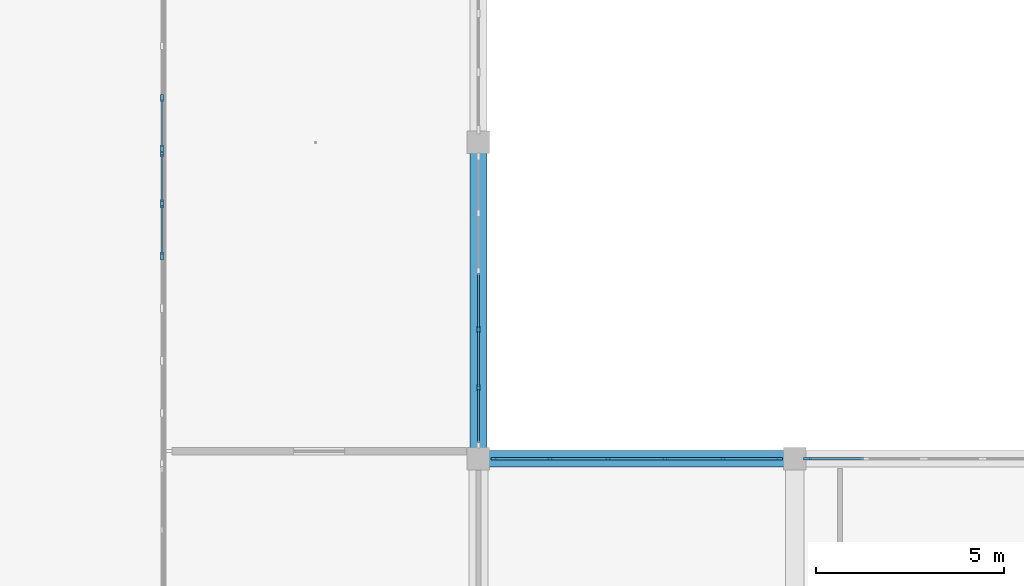
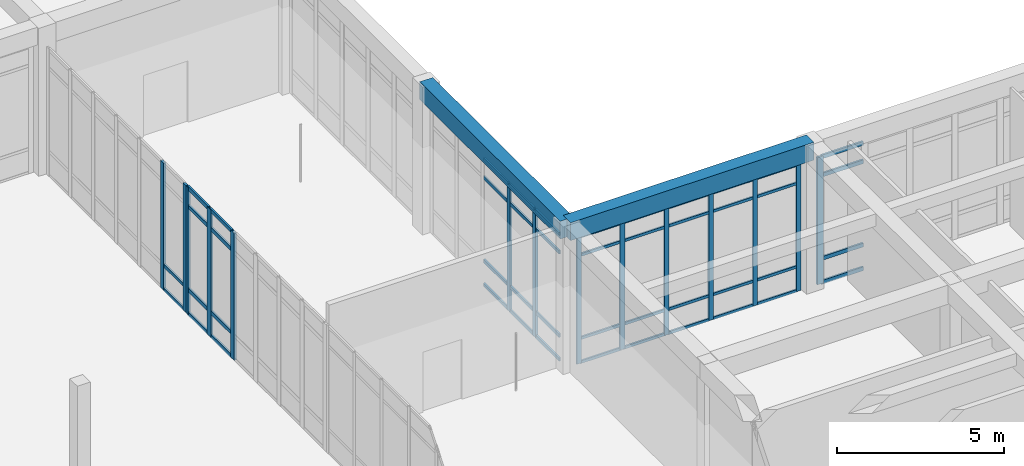
# One storey, part 27 of 157: 60 members, 2 beams, 5 elements without a shape of their own.
"""IFC4 building model written with IfcOpenShell, lengths in metres."""

from ifc_helpers import new_model, si_unit, direction, frame, origin, origin_2d, place, context, subcontext, project, spatial, rectangle, extrude, material, material_profile, profile_set, type_object, element, aggregate, save


model = new_model("IFC4")

# Units and contexts
model_context = context("Model", 3, precision=1e-05, world=origin(), true_north=direction((0.0, 1.0)))
body_context = subcontext(model_context, "Body", "Model", "MODEL_VIEW")
ifc_project = project(units=[si_unit("LENGTHUNIT", "METRE"), si_unit("AREAUNIT", "SQUARE_METRE"), si_unit("VOLUMEUNIT", "CUBIC_METRE"), si_unit("PLANEANGLEUNIT", "RADIAN"), si_unit("MASSUNIT", "GRAM", prefix="KILO")], contexts=[model_context])

# Site, building, storey
site_placement = place(None, origin())
site = spatial("IfcSite", under=ifc_project, at=site_placement, CompositionType="ELEMENT")
building_placement = place(site_placement, origin())
building = spatial("IfcBuilding", under=site, at=building_placement, Name="Varncliffe General Hospital", CompositionType="ELEMENT")
storey_placement = place(building_placement, frame((0.0, 0.0, 5.39990234375)))
storey = spatial("IfcBuildingStorey", under=building, at=storey_placement, Name="L01", CompositionType="ELEMENT", Elevation=5.39990234375)

# Curtain wall, members
ifc_material_1 = material(Name="Triple low-E argon insulated vision glazing", Category="glass")
curtain_wall_type_1 = type_object("IfcCurtainWallType", Name="Unitised Glazed Curtain Wall CW70 (7724x4640)", PredefinedType="USERDEFINED", material=ifc_material_1)
curtain_wall_1_placement = place(storey_placement, origin())
curtain_wall_1 = element("IfcCurtainWall", 1, at=curtain_wall_1_placement, inside=storey, type_object=curtain_wall_type_1, Name="L01 Glazed Curtain Wall CW70-58", ObjectType="GLAZED CURTAIN WALL", PredefinedType="USERDEFINED")
ifc_material_2 = material(Name="Dark bronze thermally broken aluminium framing", Category="aluminium")
ifc_material_profile_1 = material_profile(ifc_material_2, rectangle(XDim=0.074951171875, YDim=0.179931640625, at=origin_2d()), Name="ALU 75x180")
ifc_profile_set_1 = profile_set([ifc_material_profile_1], Name="Dark bronze thermally broken aluminium framing")
member_type_1 = type_object("IfcMemberType", Name="Curtain Wall Mullion CM44 (ALU 75x180)", PredefinedType="MULLION", material=ifc_profile_set_1)
member_1_placement = place(storey_placement, frame((117.60009765625, 44.2275390625, 0.0), z_axis=(0.0, 0.0, 1.0), x_axis=(1.0, 0.0, 0.0)))
member_1 = element("IfcMember", 2, at=member_1_placement, type_object=member_type_1, Name="CW70 mullion 4", PredefinedType="MULLION", context=body_context, shape_type="SweptSolid", body=[
    extrude(rectangle(XDim=0.074951171875, YDim=0.179931640625, at=origin_2d()), origin(), (0.0, 0.0, 1.0), 4.64013671875),
])
member_2_placement = place(storey_placement, frame((117.60009765625, 42.682861328125, 0.0), z_axis=(0.0, 0.0, 1.0), x_axis=(1.0, 0.0, 0.0)))
member_2 = element("IfcMember", 3, at=member_2_placement, type_object=member_type_1, Name="CW70 mullion 5", PredefinedType="MULLION", context=body_context, shape_type="SweptSolid", body=[
    extrude(rectangle(XDim=0.074951171875, YDim=0.179931640625, at=origin_2d()), origin(), (0.0, 0.0, 1.0), 4.64013671875),
])

curtain_wall_type_2 = type_object("IfcCurtainWallType", Name="Unitised Glazed Curtain Wall CW14 (8260x4640)", PredefinedType="USERDEFINED", material=ifc_material_1)
curtain_wall_2_placement = place(storey_placement, origin())
curtain_wall_2 = element("IfcCurtainWall", 4, at=curtain_wall_2_placement, inside=storey, type_object=curtain_wall_type_2, Name="L01 Glazed Curtain Wall CW14-100", ObjectType="GLAZED CURTAIN WALL", PredefinedType="USERDEFINED")
member_3_placement = place(storey_placement, frame((109.199951171875, 49.0390625, 0.0), z_axis=(0.0, 0.0, 1.0), x_axis=(-1.0, 0.0, 0.0)))
member_3 = element("IfcMember", 5, at=member_3_placement, type_object=member_type_1, Name="CW14 mullion 1", PredefinedType="MULLION", context=body_context, shape_type="SweptSolid", body=[
    extrude(rectangle(XDim=0.074951171875, YDim=0.179931640625, at=origin_2d()), origin(), (0.0, 0.0, 1.0), 4.64013671875),
])
member_4_placement = place(storey_placement, frame((109.199951171875, 50.37841796875, 0.0), z_axis=(0.0, 0.0, 1.0), x_axis=(-1.0, 0.0, 0.0)))
member_4 = element("IfcMember", 6, at=member_4_placement, type_object=member_type_1, Name="CW14 mullion 2", PredefinedType="MULLION", context=body_context, shape_type="SweptSolid", body=[
    extrude(rectangle(XDim=0.074951171875, YDim=0.179931640625, at=origin_2d()), origin(), (0.0, 0.0, 1.0), 4.64013671875),
])

curtain_wall_type_3 = type_object("IfcCurtainWallType", Name="Unitised Glazed Curtain Wall CW27 (7644x4640)", PredefinedType="USERDEFINED", material=ifc_material_1)
curtain_wall_3_placement = place(storey_placement, origin())
curtain_wall_3 = element("IfcCurtainWall", 7, at=curtain_wall_3_placement, inside=storey, type_object=curtain_wall_type_3, Name="L01 Glazed Curtain Wall CW27-59", ObjectType="GLAZED CURTAIN WALL", PredefinedType="USERDEFINED")
ifc_material_profile_2 = material_profile(ifc_material_2, rectangle(XDim=0.06494140625, YDim=0.159912109375, at=origin_2d()), Name="ALU 65x160")
ifc_profile_set_2 = profile_set([ifc_material_profile_2], Name="Dark bronze thermally broken aluminium framing")
member_type_2 = type_object("IfcMemberType", Name="Curtain Wall Mullion CM65 (ALU 65x160)", PredefinedType="MULLION", material=ifc_profile_set_2)
member_5_placement = place(storey_placement, frame((118.010498046875, 40.800048828125, 0.0), z_axis=(0.0, 0.0, 1.0), x_axis=(0.0, 1.0, 0.0)))
member_5 = element("IfcMember", 8, at=member_5_placement, type_object=member_type_2, Name="CW27 mullion 1", PredefinedType="MULLION", context=body_context, shape_type="SweptSolid", body=[
    extrude(rectangle(XDim=0.06494140625, YDim=0.159912109375, at=origin_2d()), origin(), (0.0, 0.0, 1.0), 4.64013671875),
])
member_6_placement = place(storey_placement, frame((119.5068359375, 40.800048828125, 0.0), z_axis=(0.0, 0.0, 1.0), x_axis=(0.0, 1.0, 0.0)))
member_6 = element("IfcMember", 9, at=member_6_placement, type_object=member_type_2, Name="CW27 mullion 2", PredefinedType="MULLION", context=body_context, shape_type="SweptSolid", body=[
    extrude(rectangle(XDim=0.06494140625, YDim=0.159912109375, at=origin_2d()), origin(), (0.0, 0.0, 1.0), 4.64013671875),
])
member_7_placement = place(storey_placement, frame((121.03564453125, 40.800048828125, 0.0), z_axis=(0.0, 0.0, 1.0), x_axis=(0.0, 1.0, 0.0)))
member_7 = element("IfcMember", 10, at=member_7_placement, type_object=member_type_2, Name="CW27 mullion 3", PredefinedType="MULLION", context=body_context, shape_type="SweptSolid", body=[
    extrude(rectangle(XDim=0.06494140625, YDim=0.159912109375, at=origin_2d()), origin(), (0.0, 0.0, 1.0), 4.64013671875),
])
member_8_placement = place(storey_placement, frame((122.564453125, 40.800048828125, 0.0), z_axis=(0.0, 0.0, 1.0), x_axis=(0.0, 1.0, 0.0)))
member_8 = element("IfcMember", 11, at=member_8_placement, type_object=member_type_2, Name="CW27 mullion 4", PredefinedType="MULLION", context=body_context, shape_type="SweptSolid", body=[
    extrude(rectangle(XDim=0.06494140625, YDim=0.159912109375, at=origin_2d()), origin(), (0.0, 0.0, 1.0), 4.64013671875),
])
member_9_placement = place(storey_placement, frame((124.09326171875, 40.800048828125, 0.0), z_axis=(0.0, 0.0, 1.0), x_axis=(0.0, 1.0, 0.0)))
member_9 = element("IfcMember", 12, at=member_9_placement, type_object=member_type_2, Name="CW27 mullion 5", PredefinedType="MULLION", context=body_context, shape_type="SweptSolid", body=[
    extrude(rectangle(XDim=0.06494140625, YDim=0.159912109375, at=origin_2d()), origin(), (0.0, 0.0, 1.0), 4.64013671875),
])
member_10_placement = place(storey_placement, frame((125.589599609375, 40.800048828125, 0.0), z_axis=(0.0, 0.0, 1.0), x_axis=(0.0, 1.0, 0.0)))
member_10 = element("IfcMember", 13, at=member_10_placement, type_object=member_type_2, Name="CW27 mullion 6", PredefinedType="MULLION", context=body_context, shape_type="SweptSolid", body=[
    extrude(rectangle(XDim=0.06494140625, YDim=0.159912109375, at=origin_2d()), origin(), (0.0, 0.0, 1.0), 4.64013671875),
])

# Curtain wall, member
curtain_wall_type_4 = type_object("IfcCurtainWallType", Name="Unitised Glazed Curtain Wall CW85 (7804x4640)", PredefinedType="USERDEFINED", material=ifc_material_1)
curtain_wall_4_placement = place(storey_placement, origin())
curtain_wall_4 = element("IfcCurtainWall", 14, at=curtain_wall_4_placement, inside=storey, type_object=curtain_wall_type_4, Name="L01 Glazed Curtain Wall CW85-60", ObjectType="GLAZED CURTAIN WALL", PredefinedType="USERDEFINED")
ifc_material_profile_3 = material_profile(ifc_material_2, rectangle(XDim=0.074951171875, YDim=0.219970703125, at=origin_2d()), Name="ALU 75x220")
ifc_profile_set_3 = profile_set([ifc_material_profile_3], Name="Dark bronze thermally broken aluminium framing")
member_type_3 = type_object("IfcMemberType", Name="Curtain Wall Mullion CM74 (ALU 75x220)", PredefinedType="MULLION", material=ifc_profile_set_3)
member_11_placement = place(storey_placement, frame((126.33544921875, 40.800048828125, 0.0), z_axis=(0.0, 0.0, 1.0), x_axis=(0.0, 1.0, 0.0)))
member_11 = element("IfcMember", 15, at=member_11_placement, type_object=member_type_3, Name="CW85 mullion 1", PredefinedType="MULLION", context=body_context, shape_type="SweptSolid", body=[
    extrude(rectangle(XDim=0.074951171875, YDim=0.219970703125, at=origin_2d()), origin(), (0.0, 0.0, 1.0), 4.64013671875),
])

# Curtain wall, members
curtain_wall_type_5 = type_object("IfcCurtainWallType", Name="Unitised Glazed Curtain Wall CW86 (8340x4640)", PredefinedType="USERDEFINED", material=ifc_material_1)
curtain_wall_5_placement = place(storey_placement, origin())
curtain_wall_5 = element("IfcCurtainWall", 16, at=curtain_wall_5_placement, inside=storey, type_object=curtain_wall_type_5, Name="L01 Glazed Curtain Wall CW86-99", ObjectType="GLAZED CURTAIN WALL", PredefinedType="USERDEFINED")
member_12_placement = place(storey_placement, frame((109.199951171875, 46.181396484375, 0.0), z_axis=(0.0, 0.0, 1.0), x_axis=(-1.0, 0.0, 0.0)))
member_12 = element("IfcMember", 17, at=member_12_placement, type_object=member_type_3, Name="CW86 mullion 5", PredefinedType="MULLION", context=body_context, shape_type="SweptSolid", body=[
    extrude(rectangle(XDim=0.074951171875, YDim=0.219970703125, at=origin_2d()), origin(), (0.0, 0.0, 1.0), 4.64013671875),
])
member_13_placement = place(storey_placement, frame((109.199951171875, 47.571533203125, 0.0), z_axis=(0.0, 0.0, 1.0), x_axis=(-1.0, 0.0, 0.0)))
member_13 = element("IfcMember", 18, at=member_13_placement, type_object=member_type_3, Name="CW86 mullion 6", PredefinedType="MULLION", context=body_context, shape_type="SweptSolid", body=[
    extrude(rectangle(XDim=0.074951171875, YDim=0.219970703125, at=origin_2d()), origin(), (0.0, 0.0, 1.0), 4.64013671875),
])
member_14_placement = place(storey_placement, frame((109.199951171875, 48.924072265625, 0.0), z_axis=(0.0, 0.0, 1.0), x_axis=(-1.0, 0.0, 0.0)))
member_14 = element("IfcMember", 19, at=member_14_placement, type_object=member_type_3, Name="CW86 mullion 7", PredefinedType="MULLION", context=body_context, shape_type="SweptSolid", body=[
    extrude(rectangle(XDim=0.074951171875, YDim=0.219970703125, at=origin_2d()), origin(), (0.0, 0.0, 1.0), 4.64013671875),
])

# Member
ifc_material_profile_4 = material_profile(ifc_material_2, rectangle(XDim=0.06005859375, YDim=0.1201171875, at=origin_2d()), Name="ALU 60x120")
ifc_profile_set_4 = profile_set([ifc_material_profile_4], Name="Dark bronze thermally broken aluminium framing")
member_type_4 = type_object("IfcMemberType", Name="Curtain Wall Transom CT14 (ALU 60x120)", PredefinedType="USERDEFINED", material=ifc_profile_set_4)
member_15_placement = place(storey_placement, frame((117.60009765625, 45.73486328125, 0.030029296875), z_axis=(0.0, -1.0, 0.0), x_axis=(1.0, 0.0, 0.0)))
member_15 = element("IfcMember", 20, at=member_15_placement, type_object=member_type_4, Name="CW70 transom 3.1", ObjectType="TRANSOM", PredefinedType="USERDEFINED", context=body_context, shape_type="SweptSolid", body=[
    extrude(rectangle(XDim=0.06005859375, YDim=0.1201171875, at=origin_2d()), origin(), (0.0, 0.0, 1.0), 1.4697265625),
])

member_16_placement = place(storey_placement, frame((117.60009765625, 45.73486328125, 0.900146484375), z_axis=(0.0, -1.0, 0.0), x_axis=(1.0, 0.0, 0.0)))
member_16 = element("IfcMember", 21, at=member_16_placement, type_object=member_type_4, Name="CW70 transom 3.2", ObjectType="TRANSOM", PredefinedType="USERDEFINED", context=body_context, shape_type="SweptSolid", body=[
    extrude(rectangle(XDim=0.06005859375, YDim=0.1201171875, at=origin_2d()), origin(), (0.0, 0.0, 1.0), 1.4697265625),
])

member_17_placement = place(storey_placement, frame((117.60009765625, 45.73486328125, 3.940185546875), z_axis=(0.0, -1.0, 0.0), x_axis=(1.0, 0.0, 0.0)))
member_17 = element("IfcMember", 22, at=member_17_placement, type_object=member_type_4, Name="CW70 transom 3.3", ObjectType="TRANSOM", PredefinedType="USERDEFINED", context=body_context, shape_type="SweptSolid", body=[
    extrude(rectangle(XDim=0.06005859375, YDim=0.1201171875, at=origin_2d()), origin(), (0.0, 0.0, 1.0), 1.4697265625),
])

member_18_placement = place(storey_placement, frame((117.60009765625, 45.73486328125, 4.610107421875), z_axis=(0.0, -1.0, 0.0), x_axis=(1.0, 0.0, 0.0)))
member_18 = element("IfcMember", 23, at=member_18_placement, type_object=member_type_4, Name="CW70 transom 3.4", ObjectType="TRANSOM", PredefinedType="USERDEFINED", context=body_context, shape_type="SweptSolid", body=[
    extrude(rectangle(XDim=0.06005859375, YDim=0.1201171875, at=origin_2d()), origin(), (0.0, 0.0, 1.0), 1.4697265625),
])

member_19_placement = place(storey_placement, frame((117.60009765625, 44.190185546875, 0.030029296875), z_axis=(0.0, -1.0, 0.0), x_axis=(1.0, 0.0, 0.0)))
member_19 = element("IfcMember", 24, at=member_19_placement, type_object=member_type_4, Name="CW70 transom 4.1", ObjectType="TRANSOM", PredefinedType="USERDEFINED", context=body_context, shape_type="SweptSolid", body=[
    extrude(rectangle(XDim=0.06005859375, YDim=0.1201171875, at=origin_2d()), origin(), (0.0, 0.0, 1.0), 1.469970703125),
])

member_20_placement = place(storey_placement, frame((117.60009765625, 44.190185546875, 0.900146484375), z_axis=(0.0, -1.0, 0.0), x_axis=(1.0, 0.0, 0.0)))
member_20 = element("IfcMember", 25, at=member_20_placement, type_object=member_type_4, Name="CW70 transom 4.2", ObjectType="TRANSOM", PredefinedType="USERDEFINED", context=body_context, shape_type="SweptSolid", body=[
    extrude(rectangle(XDim=0.06005859375, YDim=0.1201171875, at=origin_2d()), origin(), (0.0, 0.0, 1.0), 1.469970703125),
])

member_21_placement = place(storey_placement, frame((117.60009765625, 44.190185546875, 3.940185546875), z_axis=(0.0, -1.0, 0.0), x_axis=(1.0, 0.0, 0.0)))
member_21 = element("IfcMember", 26, at=member_21_placement, type_object=member_type_4, Name="CW70 transom 4.3", ObjectType="TRANSOM", PredefinedType="USERDEFINED", context=body_context, shape_type="SweptSolid", body=[
    extrude(rectangle(XDim=0.06005859375, YDim=0.1201171875, at=origin_2d()), origin(), (0.0, 0.0, 1.0), 1.469970703125),
])

member_22_placement = place(storey_placement, frame((117.60009765625, 44.190185546875, 4.610107421875), z_axis=(0.0, -1.0, 0.0), x_axis=(1.0, 0.0, 0.0)))
member_22 = element("IfcMember", 27, at=member_22_placement, type_object=member_type_4, Name="CW70 transom 4.4", ObjectType="TRANSOM", PredefinedType="USERDEFINED", context=body_context, shape_type="SweptSolid", body=[
    extrude(rectangle(XDim=0.06005859375, YDim=0.1201171875, at=origin_2d()), origin(), (0.0, 0.0, 1.0), 1.469970703125),
])

member_23_placement = place(storey_placement, frame((117.60009765625, 42.645263671875, 0.030029296875), z_axis=(0.0, -1.0, 0.0), x_axis=(1.0, 0.0, 0.0)))
member_23 = element("IfcMember", 28, at=member_23_placement, type_object=member_type_4, Name="CW70 transom 5.1", ObjectType="TRANSOM", PredefinedType="USERDEFINED", context=body_context, shape_type="SweptSolid", body=[
    extrude(rectangle(XDim=0.06005859375, YDim=0.1201171875, at=origin_2d()), origin(), (0.0, 0.0, 1.0), 1.432373046875),
])

member_24_placement = place(storey_placement, frame((117.60009765625, 42.645263671875, 0.900146484375), z_axis=(0.0, -1.0, 0.0), x_axis=(1.0, 0.0, 0.0)))
member_24 = element("IfcMember", 29, at=member_24_placement, type_object=member_type_4, Name="CW70 transom 5.2", ObjectType="TRANSOM", PredefinedType="USERDEFINED", context=body_context, shape_type="SweptSolid", body=[
    extrude(rectangle(XDim=0.06005859375, YDim=0.1201171875, at=origin_2d()), origin(), (0.0, 0.0, 1.0), 1.432373046875),
])

member_25_placement = place(storey_placement, frame((117.60009765625, 42.645263671875, 3.940185546875), z_axis=(0.0, -1.0, 0.0), x_axis=(1.0, 0.0, 0.0)))
member_25 = element("IfcMember", 30, at=member_25_placement, type_object=member_type_4, Name="CW70 transom 5.3", ObjectType="TRANSOM", PredefinedType="USERDEFINED", context=body_context, shape_type="SweptSolid", body=[
    extrude(rectangle(XDim=0.06005859375, YDim=0.1201171875, at=origin_2d()), origin(), (0.0, 0.0, 1.0), 1.432373046875),
])

member_26_placement = place(storey_placement, frame((117.60009765625, 42.645263671875, 4.610107421875), z_axis=(0.0, -1.0, 0.0), x_axis=(1.0, 0.0, 0.0)))
member_26 = element("IfcMember", 31, at=member_26_placement, type_object=member_type_4, Name="CW70 transom 5.4", ObjectType="TRANSOM", PredefinedType="USERDEFINED", context=body_context, shape_type="SweptSolid", body=[
    extrude(rectangle(XDim=0.06005859375, YDim=0.1201171875, at=origin_2d()), origin(), (0.0, 0.0, 1.0), 1.432373046875),
])

aggregate(curtain_wall_1, [member_1, member_2, member_15, member_16, member_17, member_18, member_19, member_20, member_21, member_22, member_23, member_24, member_25, member_26])

member_27_placement = place(storey_placement, frame((109.199951171875, 49.07666015625, 0.030029296875), z_axis=(0.0, 1.0, 0.0), x_axis=(-1.0, 0.0, 0.0)))
member_27 = element("IfcMember", 32, at=member_27_placement, type_object=member_type_4, Name="CW14 transom 1.1", ObjectType="TRANSOM", PredefinedType="USERDEFINED", context=body_context, shape_type="SweptSolid", body=[
    extrude(rectangle(XDim=0.06005859375, YDim=0.1201171875, at=origin_2d()), origin(), (0.0, 0.0, 1.0), 1.26416015625),
])

member_28_placement = place(storey_placement, frame((109.199951171875, 49.07666015625, 0.900146484375), z_axis=(0.0, 1.0, 0.0), x_axis=(-1.0, 0.0, 0.0)))
member_28 = element("IfcMember", 33, at=member_28_placement, type_object=member_type_4, Name="CW14 transom 1.2", ObjectType="TRANSOM", PredefinedType="USERDEFINED", context=body_context, shape_type="SweptSolid", body=[
    extrude(rectangle(XDim=0.06005859375, YDim=0.1201171875, at=origin_2d()), origin(), (0.0, 0.0, 1.0), 1.26416015625),
])

aggregate(curtain_wall_2, [member_3, member_4, member_27, member_28])

ifc_material_profile_5 = material_profile(ifc_material_2, rectangle(XDim=0.06005859375, YDim=0.10009765625, at=origin_2d()), Name="ALU 60x100")
ifc_profile_set_5 = profile_set([ifc_material_profile_5], Name="Dark bronze thermally broken aluminium framing")
member_type_5 = type_object("IfcMemberType", Name="Curtain Wall Transom CT18 (ALU 60x100)", PredefinedType="USERDEFINED", material=ifc_profile_set_5)
member_29_placement = place(storey_placement, frame((118.04296875, 40.800048828125, 0.030029296875), z_axis=(1.0, 0.0, 0.0), x_axis=(0.0, 1.0, 0.0)))
member_29 = element("IfcMember", 34, at=member_29_placement, type_object=member_type_5, Name="CW27 transom 1.1", ObjectType="TRANSOM", PredefinedType="USERDEFINED", context=body_context, shape_type="SweptSolid", body=[
    extrude(rectangle(XDim=0.06005859375, YDim=0.10009765625, at=origin_2d()), origin(), (0.0, 0.0, 1.0), 1.431396484375),
])

member_30_placement = place(storey_placement, frame((118.04296875, 40.800048828125, 0.900146484375), z_axis=(1.0, 0.0, 0.0), x_axis=(0.0, 1.0, 0.0)))
member_30 = element("IfcMember", 35, at=member_30_placement, type_object=member_type_5, Name="CW27 transom 1.2", ObjectType="TRANSOM", PredefinedType="USERDEFINED", context=body_context, shape_type="SweptSolid", body=[
    extrude(rectangle(XDim=0.06005859375, YDim=0.10009765625, at=origin_2d()), origin(), (0.0, 0.0, 1.0), 1.431396484375),
])

member_31_placement = place(storey_placement, frame((118.04296875, 40.800048828125, 3.940185546875), z_axis=(1.0, 0.0, 0.0), x_axis=(0.0, 1.0, 0.0)))
member_31 = element("IfcMember", 36, at=member_31_placement, type_object=member_type_5, Name="CW27 transom 1.3", ObjectType="TRANSOM", PredefinedType="USERDEFINED", context=body_context, shape_type="SweptSolid", body=[
    extrude(rectangle(XDim=0.06005859375, YDim=0.10009765625, at=origin_2d()), origin(), (0.0, 0.0, 1.0), 1.431396484375),
])

member_32_placement = place(storey_placement, frame((118.04296875, 40.800048828125, 4.610107421875), z_axis=(1.0, 0.0, 0.0), x_axis=(0.0, 1.0, 0.0)))
member_32 = element("IfcMember", 37, at=member_32_placement, type_object=member_type_5, Name="CW27 transom 1.4", ObjectType="TRANSOM", PredefinedType="USERDEFINED", context=body_context, shape_type="SweptSolid", body=[
    extrude(rectangle(XDim=0.06005859375, YDim=0.10009765625, at=origin_2d()), origin(), (0.0, 0.0, 1.0), 1.431396484375),
])

member_33_placement = place(storey_placement, frame((119.539306640625, 40.800048828125, 0.030029296875), z_axis=(1.0, 0.0, 0.0), x_axis=(0.0, 1.0, 0.0)))
member_33 = element("IfcMember", 38, at=member_33_placement, type_object=member_type_5, Name="CW27 transom 2.1", ObjectType="TRANSOM", PredefinedType="USERDEFINED", context=body_context, shape_type="SweptSolid", body=[
    extrude(rectangle(XDim=0.06005859375, YDim=0.10009765625, at=origin_2d()), origin(), (0.0, 0.0, 1.0), 1.4638671875),
])

member_34_placement = place(storey_placement, frame((119.539306640625, 40.800048828125, 0.900146484375), z_axis=(1.0, 0.0, 0.0), x_axis=(0.0, 1.0, 0.0)))
member_34 = element("IfcMember", 39, at=member_34_placement, type_object=member_type_5, Name="CW27 transom 2.2", ObjectType="TRANSOM", PredefinedType="USERDEFINED", context=body_context, shape_type="SweptSolid", body=[
    extrude(rectangle(XDim=0.06005859375, YDim=0.10009765625, at=origin_2d()), origin(), (0.0, 0.0, 1.0), 1.4638671875),
])

member_35_placement = place(storey_placement, frame((119.539306640625, 40.800048828125, 3.940185546875), z_axis=(1.0, 0.0, 0.0), x_axis=(0.0, 1.0, 0.0)))
member_35 = element("IfcMember", 40, at=member_35_placement, type_object=member_type_5, Name="CW27 transom 2.3", ObjectType="TRANSOM", PredefinedType="USERDEFINED", context=body_context, shape_type="SweptSolid", body=[
    extrude(rectangle(XDim=0.06005859375, YDim=0.10009765625, at=origin_2d()), origin(), (0.0, 0.0, 1.0), 1.4638671875),
])

member_36_placement = place(storey_placement, frame((119.539306640625, 40.800048828125, 4.610107421875), z_axis=(1.0, 0.0, 0.0), x_axis=(0.0, 1.0, 0.0)))
member_36 = element("IfcMember", 41, at=member_36_placement, type_object=member_type_5, Name="CW27 transom 2.4", ObjectType="TRANSOM", PredefinedType="USERDEFINED", context=body_context, shape_type="SweptSolid", body=[
    extrude(rectangle(XDim=0.06005859375, YDim=0.10009765625, at=origin_2d()), origin(), (0.0, 0.0, 1.0), 1.4638671875),
])

member_37_placement = place(storey_placement, frame((121.068115234375, 40.800048828125, 0.030029296875), z_axis=(1.0, 0.0, 0.0), x_axis=(0.0, 1.0, 0.0)))
member_37 = element("IfcMember", 42, at=member_37_placement, type_object=member_type_5, Name="CW27 transom 3.1", ObjectType="TRANSOM", PredefinedType="USERDEFINED", context=body_context, shape_type="SweptSolid", body=[
    extrude(rectangle(XDim=0.06005859375, YDim=0.10009765625, at=origin_2d()), origin(), (0.0, 0.0, 1.0), 1.4638671875),
])

member_38_placement = place(storey_placement, frame((121.068115234375, 40.800048828125, 0.900146484375), z_axis=(1.0, 0.0, 0.0), x_axis=(0.0, 1.0, 0.0)))
member_38 = element("IfcMember", 43, at=member_38_placement, type_object=member_type_5, Name="CW27 transom 3.2", ObjectType="TRANSOM", PredefinedType="USERDEFINED", context=body_context, shape_type="SweptSolid", body=[
    extrude(rectangle(XDim=0.06005859375, YDim=0.10009765625, at=origin_2d()), origin(), (0.0, 0.0, 1.0), 1.4638671875),
])

member_39_placement = place(storey_placement, frame((121.068115234375, 40.800048828125, 3.940185546875), z_axis=(1.0, 0.0, 0.0), x_axis=(0.0, 1.0, 0.0)))
member_39 = element("IfcMember", 44, at=member_39_placement, type_object=member_type_5, Name="CW27 transom 3.3", ObjectType="TRANSOM", PredefinedType="USERDEFINED", context=body_context, shape_type="SweptSolid", body=[
    extrude(rectangle(XDim=0.06005859375, YDim=0.10009765625, at=origin_2d()), origin(), (0.0, 0.0, 1.0), 1.4638671875),
])

member_40_placement = place(storey_placement, frame((121.068115234375, 40.800048828125, 4.610107421875), z_axis=(1.0, 0.0, 0.0), x_axis=(0.0, 1.0, 0.0)))
member_40 = element("IfcMember", 45, at=member_40_placement, type_object=member_type_5, Name="CW27 transom 3.4", ObjectType="TRANSOM", PredefinedType="USERDEFINED", context=body_context, shape_type="SweptSolid", body=[
    extrude(rectangle(XDim=0.06005859375, YDim=0.10009765625, at=origin_2d()), origin(), (0.0, 0.0, 1.0), 1.4638671875),
])

member_41_placement = place(storey_placement, frame((122.596923828125, 40.800048828125, 0.030029296875), z_axis=(1.0, 0.0, 0.0), x_axis=(0.0, 1.0, 0.0)))
member_41 = element("IfcMember", 46, at=member_41_placement, type_object=member_type_5, Name="CW27 transom 4.1", ObjectType="TRANSOM", PredefinedType="USERDEFINED", context=body_context, shape_type="SweptSolid", body=[
    extrude(rectangle(XDim=0.06005859375, YDim=0.10009765625, at=origin_2d()), origin(), (0.0, 0.0, 1.0), 1.4638671875),
])

member_42_placement = place(storey_placement, frame((122.596923828125, 40.800048828125, 0.900146484375), z_axis=(1.0, 0.0, 0.0), x_axis=(0.0, 1.0, 0.0)))
member_42 = element("IfcMember", 47, at=member_42_placement, type_object=member_type_5, Name="CW27 transom 4.2", ObjectType="TRANSOM", PredefinedType="USERDEFINED", context=body_context, shape_type="SweptSolid", body=[
    extrude(rectangle(XDim=0.06005859375, YDim=0.10009765625, at=origin_2d()), origin(), (0.0, 0.0, 1.0), 1.4638671875),
])

member_43_placement = place(storey_placement, frame((122.596923828125, 40.800048828125, 3.940185546875), z_axis=(1.0, 0.0, 0.0), x_axis=(0.0, 1.0, 0.0)))
member_43 = element("IfcMember", 48, at=member_43_placement, type_object=member_type_5, Name="CW27 transom 4.3", ObjectType="TRANSOM", PredefinedType="USERDEFINED", context=body_context, shape_type="SweptSolid", body=[
    extrude(rectangle(XDim=0.06005859375, YDim=0.10009765625, at=origin_2d()), origin(), (0.0, 0.0, 1.0), 1.4638671875),
])

member_44_placement = place(storey_placement, frame((122.596923828125, 40.800048828125, 4.610107421875), z_axis=(1.0, 0.0, 0.0), x_axis=(0.0, 1.0, 0.0)))
member_44 = element("IfcMember", 49, at=member_44_placement, type_object=member_type_5, Name="CW27 transom 4.4", ObjectType="TRANSOM", PredefinedType="USERDEFINED", context=body_context, shape_type="SweptSolid", body=[
    extrude(rectangle(XDim=0.06005859375, YDim=0.10009765625, at=origin_2d()), origin(), (0.0, 0.0, 1.0), 1.4638671875),
])

member_45_placement = place(storey_placement, frame((124.125732421875, 40.800048828125, 0.030029296875), z_axis=(1.0, 0.0, 0.0), x_axis=(0.0, 1.0, 0.0)))
member_45 = element("IfcMember", 50, at=member_45_placement, type_object=member_type_5, Name="CW27 transom 5.1", ObjectType="TRANSOM", PredefinedType="USERDEFINED", context=body_context, shape_type="SweptSolid", body=[
    extrude(rectangle(XDim=0.06005859375, YDim=0.10009765625, at=origin_2d()), origin(), (0.0, 0.0, 1.0), 1.43115234375),
])

member_46_placement = place(storey_placement, frame((124.125732421875, 40.800048828125, 0.900146484375), z_axis=(1.0, 0.0, 0.0), x_axis=(0.0, 1.0, 0.0)))
member_46 = element("IfcMember", 51, at=member_46_placement, type_object=member_type_5, Name="CW27 transom 5.2", ObjectType="TRANSOM", PredefinedType="USERDEFINED", context=body_context, shape_type="SweptSolid", body=[
    extrude(rectangle(XDim=0.06005859375, YDim=0.10009765625, at=origin_2d()), origin(), (0.0, 0.0, 1.0), 1.43115234375),
])

member_47_placement = place(storey_placement, frame((124.125732421875, 40.800048828125, 3.940185546875), z_axis=(1.0, 0.0, 0.0), x_axis=(0.0, 1.0, 0.0)))
member_47 = element("IfcMember", 52, at=member_47_placement, type_object=member_type_5, Name="CW27 transom 5.3", ObjectType="TRANSOM", PredefinedType="USERDEFINED", context=body_context, shape_type="SweptSolid", body=[
    extrude(rectangle(XDim=0.06005859375, YDim=0.10009765625, at=origin_2d()), origin(), (0.0, 0.0, 1.0), 1.43115234375),
])

member_48_placement = place(storey_placement, frame((124.125732421875, 40.800048828125, 4.610107421875), z_axis=(1.0, 0.0, 0.0), x_axis=(0.0, 1.0, 0.0)))
member_48 = element("IfcMember", 53, at=member_48_placement, type_object=member_type_5, Name="CW27 transom 5.4", ObjectType="TRANSOM", PredefinedType="USERDEFINED", context=body_context, shape_type="SweptSolid", body=[
    extrude(rectangle(XDim=0.06005859375, YDim=0.10009765625, at=origin_2d()), origin(), (0.0, 0.0, 1.0), 1.43115234375),
])

aggregate(curtain_wall_3, [member_5, member_6, member_7, member_8, member_9, member_10, member_29, member_30, member_31, member_32, member_33, member_34, member_35, member_36, member_37, member_38, member_39, member_40, member_41, member_42, member_43, member_44, member_45, member_46, member_47, member_48])

ifc_material_profile_6 = material_profile(ifc_material_2, rectangle(XDim=0.06494140625, YDim=0.139892578125, at=origin_2d()), Name="ALU 65x140")
ifc_profile_set_6 = profile_set([ifc_material_profile_6], Name="Dark bronze thermally broken aluminium framing")
member_type_6 = type_object("IfcMemberType", Name="Curtain Wall Transom CT69 (ALU 65x140)", PredefinedType="USERDEFINED", material=ifc_profile_set_6)
member_49_placement = place(storey_placement, frame((126.373046875, 40.800048828125, 0.03271484375), z_axis=(1.0, 0.0, 0.0), x_axis=(0.0, 1.0, 0.0)))
member_49 = element("IfcMember", 54, at=member_49_placement, type_object=member_type_6, Name="CW85 transom 1.1", ObjectType="TRANSOM", PredefinedType="USERDEFINED", context=body_context, shape_type="SweptSolid", body=[
    extrude(rectangle(XDim=0.06494140625, YDim=0.139892578125, at=origin_2d()), origin(), (0.0, 0.0, 1.0), 1.4482421875),
])

member_50_placement = place(storey_placement, frame((126.373046875, 40.800048828125, 0.900146484375), z_axis=(1.0, 0.0, 0.0), x_axis=(0.0, 1.0, 0.0)))
member_50 = element("IfcMember", 55, at=member_50_placement, type_object=member_type_6, Name="CW85 transom 1.2", ObjectType="TRANSOM", PredefinedType="USERDEFINED", context=body_context, shape_type="SweptSolid", body=[
    extrude(rectangle(XDim=0.06494140625, YDim=0.139892578125, at=origin_2d()), origin(), (0.0, 0.0, 1.0), 1.4482421875),
])

member_51_placement = place(storey_placement, frame((126.373046875, 40.800048828125, 3.940185546875), z_axis=(1.0, 0.0, 0.0), x_axis=(0.0, 1.0, 0.0)))
member_51 = element("IfcMember", 56, at=member_51_placement, type_object=member_type_6, Name="CW85 transom 1.3", ObjectType="TRANSOM", PredefinedType="USERDEFINED", context=body_context, shape_type="SweptSolid", body=[
    extrude(rectangle(XDim=0.06494140625, YDim=0.139892578125, at=origin_2d()), origin(), (0.0, 0.0, 1.0), 1.4482421875),
])

member_52_placement = place(storey_placement, frame((126.373046875, 40.800048828125, 4.607666015625), z_axis=(1.0, 0.0, 0.0), x_axis=(0.0, 1.0, 0.0)))
member_52 = element("IfcMember", 57, at=member_52_placement, type_object=member_type_6, Name="CW85 transom 1.4", ObjectType="TRANSOM", PredefinedType="USERDEFINED", context=body_context, shape_type="SweptSolid", body=[
    extrude(rectangle(XDim=0.06494140625, YDim=0.139892578125, at=origin_2d()), origin(), (0.0, 0.0, 1.0), 1.4482421875),
])

aggregate(curtain_wall_4, [member_11, member_49, member_50, member_51, member_52])

member_53_placement = place(storey_placement, frame((109.199951171875, 46.218994140625, 0.03271484375), z_axis=(0.0, 1.0, 0.0), x_axis=(-1.0, 0.0, 0.0)))
member_53 = element("IfcMember", 58, at=member_53_placement, type_object=member_type_6, Name="CW86 transom 5.1", ObjectType="TRANSOM", PredefinedType="USERDEFINED", context=body_context, shape_type="SweptSolid", body=[
    extrude(rectangle(XDim=0.06494140625, YDim=0.139892578125, at=origin_2d()), origin(), (0.0, 0.0, 1.0), 1.31494140625),
])

member_54_placement = place(storey_placement, frame((109.199951171875, 46.218994140625, 0.900146484375), z_axis=(0.0, 1.0, 0.0), x_axis=(-1.0, 0.0, 0.0)))
member_54 = element("IfcMember", 59, at=member_54_placement, type_object=member_type_6, Name="CW86 transom 5.2", ObjectType="TRANSOM", PredefinedType="USERDEFINED", context=body_context, shape_type="SweptSolid", body=[
    extrude(rectangle(XDim=0.06494140625, YDim=0.139892578125, at=origin_2d()), origin(), (0.0, 0.0, 1.0), 1.31494140625),
])

member_55_placement = place(storey_placement, frame((109.199951171875, 46.218994140625, 3.940185546875), z_axis=(0.0, 1.0, 0.0), x_axis=(-1.0, 0.0, 0.0)))
member_55 = element("IfcMember", 60, at=member_55_placement, type_object=member_type_6, Name="CW86 transom 5.3", ObjectType="TRANSOM", PredefinedType="USERDEFINED", context=body_context, shape_type="SweptSolid", body=[
    extrude(rectangle(XDim=0.06494140625, YDim=0.139892578125, at=origin_2d()), origin(), (0.0, 0.0, 1.0), 1.31494140625),
])

member_56_placement = place(storey_placement, frame((109.199951171875, 46.218994140625, 4.607666015625), z_axis=(0.0, 1.0, 0.0), x_axis=(-1.0, 0.0, 0.0)))
member_56 = element("IfcMember", 61, at=member_56_placement, type_object=member_type_6, Name="CW86 transom 5.4", ObjectType="TRANSOM", PredefinedType="USERDEFINED", context=body_context, shape_type="SweptSolid", body=[
    extrude(rectangle(XDim=0.06494140625, YDim=0.139892578125, at=origin_2d()), origin(), (0.0, 0.0, 1.0), 1.31494140625),
])

member_57_placement = place(storey_placement, frame((109.199951171875, 47.609130859375, 0.03271484375), z_axis=(0.0, 1.0, 0.0), x_axis=(-1.0, 0.0, 0.0)))
member_57 = element("IfcMember", 62, at=member_57_placement, type_object=member_type_6, Name="CW86 transom 6.1", ObjectType="TRANSOM", PredefinedType="USERDEFINED", context=body_context, shape_type="SweptSolid", body=[
    extrude(rectangle(XDim=0.06494140625, YDim=0.139892578125, at=origin_2d()), origin(), (0.0, 0.0, 1.0), 1.277587890625),
])

member_58_placement = place(storey_placement, frame((109.199951171875, 47.609130859375, 0.900146484375), z_axis=(0.0, 1.0, 0.0), x_axis=(-1.0, 0.0, 0.0)))
member_58 = element("IfcMember", 63, at=member_58_placement, type_object=member_type_6, Name="CW86 transom 6.2", ObjectType="TRANSOM", PredefinedType="USERDEFINED", context=body_context, shape_type="SweptSolid", body=[
    extrude(rectangle(XDim=0.06494140625, YDim=0.139892578125, at=origin_2d()), origin(), (0.0, 0.0, 1.0), 1.277587890625),
])

member_59_placement = place(storey_placement, frame((109.199951171875, 47.609130859375, 3.940185546875), z_axis=(0.0, 1.0, 0.0), x_axis=(-1.0, 0.0, 0.0)))
member_59 = element("IfcMember", 64, at=member_59_placement, type_object=member_type_6, Name="CW86 transom 6.3", ObjectType="TRANSOM", PredefinedType="USERDEFINED", context=body_context, shape_type="SweptSolid", body=[
    extrude(rectangle(XDim=0.06494140625, YDim=0.139892578125, at=origin_2d()), origin(), (0.0, 0.0, 1.0), 1.277587890625),
])

member_60_placement = place(storey_placement, frame((109.199951171875, 47.609130859375, 4.607666015625), z_axis=(0.0, 1.0, 0.0), x_axis=(-1.0, 0.0, 0.0)))
member_60 = element("IfcMember", 65, at=member_60_placement, type_object=member_type_6, Name="CW86 transom 6.4", ObjectType="TRANSOM", PredefinedType="USERDEFINED", context=body_context, shape_type="SweptSolid", body=[
    extrude(rectangle(XDim=0.06494140625, YDim=0.139892578125, at=origin_2d()), origin(), (0.0, 0.0, 1.0), 1.277587890625),
])

aggregate(curtain_wall_5, [member_12, member_13, member_14, member_53, member_54, member_55, member_56, member_57, member_58, member_59, member_60])

# Beams
ifc_material_3 = material(Name="Concrete C35/45 (CSA A23.1 35 MPa)", Category="concrete")
ifc_material_profile_7 = material_profile(ifc_material_3, rectangle(XDim=0.449951171875, YDim=0.64990234375, at=origin_2d()), Name="RC 450x650")
ifc_profile_set_7 = profile_set([ifc_material_profile_7], Name="Concrete C35/45 (CSA A23.1 35 MPa)")
beam_type = type_object("IfcBeamType", Name="Spandrel SP38 (Ext RC 450x650B)", PredefinedType="SPANDREL", material=ifc_profile_set_7)
for number, where, z_axis, x_axis, name in (
    (66, (117.60009765625, 40.800048828125, 5.0751953125), (1.0, 0.0, 0.0), (0.0, 1.0, 0.0), "L01 Spandrel Beam SP38-60"),
    (67, (117.60009765625, 40.800048828125, 5.0751953125), (0.0, 1.0, 0.0), (-1.0, 0.0, 0.0), "L01 Spandrel Beam SP38-421"),
):
    element("IfcBeam", number, at=place(storey_placement, frame(where, z_axis=z_axis, x_axis=x_axis)), inside=storey, type_object=beam_type, Name=name, PredefinedType="SPANDREL", context=body_context, shape_type="SweptSolid", body=[
        extrude(rectangle(XDim=0.449951171875, YDim=0.64990234375, at=origin_2d()), origin(), (0.0, 0.0, 1.0), 8.39990234375),
    ])

save(model, "model.ifc")
